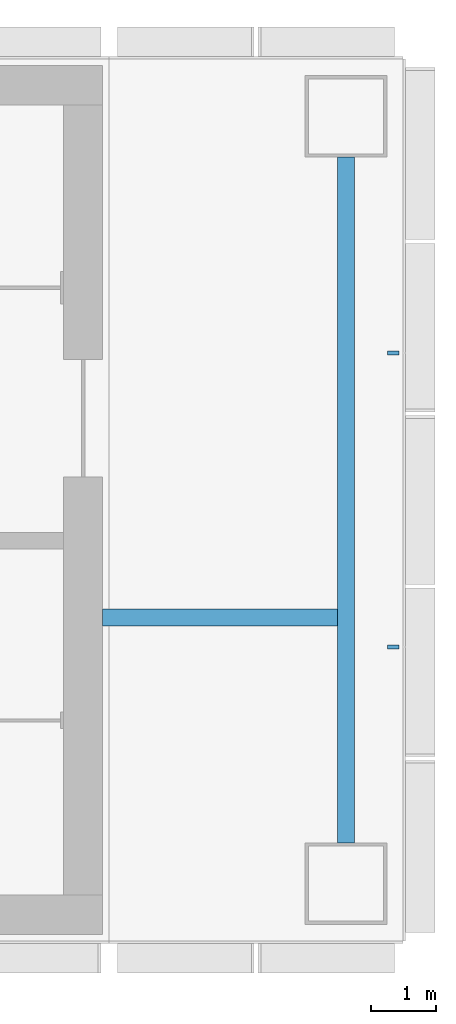
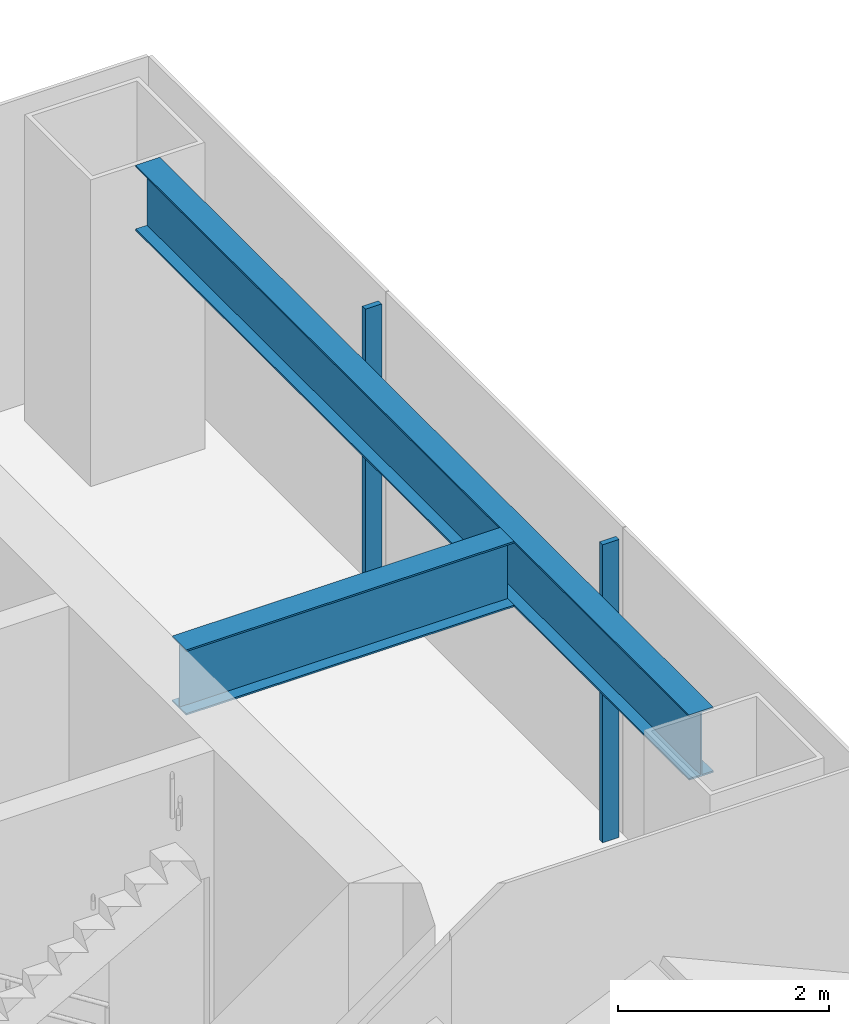
# One storey, part 6 of 19: 2 beams, 2 members, 1 element without a shape of its own.
"""IFC4 building model written with IfcOpenShell, lengths in metres."""

from ifc_helpers import new_model, si_unit, direction, frame, origin, origin_2d, place, context, subcontext, project, spatial, rectangle, i_section, extrude, material, layer, layer_set, material_profile, profile_set, type_object, element, aggregate, save


model = new_model("IFC4")

# Units and contexts
model_context = context("Model", 3, precision=1e-05, world=origin(), true_north=direction((0.0, 1.0)))
body_context = subcontext(model_context, "Body", "Model", "MODEL_VIEW")
ifc_project = project(units=[si_unit("LENGTHUNIT", "METRE"), si_unit("AREAUNIT", "SQUARE_METRE"), si_unit("VOLUMEUNIT", "CUBIC_METRE"), si_unit("PLANEANGLEUNIT", "RADIAN"), si_unit("MASSUNIT", "GRAM", prefix="KILO")], contexts=[model_context])

# Site, building, storey
site_placement = place(None, origin())
site = spatial("IfcSite", under=ifc_project, at=site_placement, CompositionType="ELEMENT")
building_placement = place(site_placement, origin())
building = spatial("IfcBuilding", under=site, at=building_placement, Name="Shamsa Quay Exchange Towers", CompositionType="ELEMENT")
storey_placement = place(building_placement, frame((0.0, 0.0, 85.800048828125)))
storey = spatial("IfcBuildingStorey", under=building, at=storey_placement, Name="L19", CompositionType="ELEMENT", Elevation=85.800048828125)

# Curtain wall, members
ifc_material_1 = material(Name="Aluminium EN AW-6063 T6, black anodised", Category="aluminium")
ifc_layer = layer(ifc_material_1, 0.280029296875)
ifc_layer_set = layer_set([ifc_layer], Name="CW-1 UNITISED VISION GLASS")
curtain_wall_type = type_object("IfcCurtainWallType", Name="CW-1 UNITISED VISION GLASS", PredefinedType="NOTDEFINED", material=ifc_layer_set)
curtain_wall_placement = place(storey_placement, origin())
curtain_wall = element("IfcCurtainWall", 1, at=curtain_wall_placement, inside=storey, type_object=curtain_wall_type, Name="CW1 T2-END-V- L19", PredefinedType="NOTDEFINED")
ifc_material_profile_1 = material_profile(ifc_material_1, rectangle(XDim=0.179931640625, YDim=0.06005859375, at=origin_2d()), Name="MU60x180")
ifc_profile_set_1 = profile_set([ifc_material_profile_1], Name="Aluminium EN AW-6063 T6, black anodised")
member_type = type_object("IfcMemberType", Name="CW1 MULLION 60x180", PredefinedType="MULLION", material=ifc_profile_set_1)
member_1_placement = place(storey_placement, frame((58.35009765625, -2.25, 0.0), z_axis=(0.0, 0.0, 1.0), x_axis=(-1.0, 0.0, 0.0)))
member_1 = element("IfcMember", 2, at=member_1_placement, type_object=member_type, Name="CW1 mullion", PredefinedType="MULLION", context=body_context, shape_type="SweptSolid", body=[
    extrude(rectangle(XDim=0.179931640625, YDim=0.06005859375, at=origin_2d()), origin(), (0.0, 0.0, 1.0), 3.449951171875),
])
member_2_placement = place(storey_placement, frame((58.35009765625, 2.25, 0.0), z_axis=(0.0, 0.0, 1.0), x_axis=(-1.0, 0.0, 0.0)))
member_2 = element("IfcMember", 3, at=member_2_placement, type_object=member_type, Name="CW1 mullion", PredefinedType="MULLION", context=body_context, shape_type="SweptSolid", body=[
    extrude(rectangle(XDim=0.179931640625, YDim=0.06005859375, at=origin_2d()), origin(), (0.0, 0.0, 1.0), 3.449951171875),
])
aggregate(curtain_wall, [member_1, member_2])

# Beams
ifc_material_2 = material(Name="Steel S355", Category="steel")
ifc_material_profile_2 = material_profile(ifc_material_2, i_section(OverallWidth=0.26611328125, OverallDepth=0.7578125, WebThickness=0.013916015625, FlangeThickness=0.019287109375, at=origin_2d()), Name="W30x108")
ifc_profile_set_2 = profile_set([ifc_material_profile_2], Name="Steel S355")
beam_type = type_object("IfcBeamType", Name="End-zone beam W30x108", PredefinedType="BEAM", material=ifc_profile_set_2)
beam_1_placement = place(storey_placement, frame((57.625, -5.25, 3.171142578125), z_axis=(0.0, 1.0, 0.0), x_axis=(-1.0, 0.0, 0.0)))
element("IfcBeam", 4, at=beam_1_placement, inside=storey, type_object=beam_type, Name="End beam T2 V- end zone L19", PredefinedType="BEAM", context=body_context, shape_type="SweptSolid", body=[
    extrude(i_section(OverallWidth=0.26611328125, OverallDepth=0.7578125, WebThickness=0.013916015625, FlangeThickness=0.019287109375, at=origin_2d()), origin(), (0.0, 0.0, 1.0), 10.5),
])
beam_2_placement = place(storey_placement, frame((53.89990234375, -1.800048828125, 3.171142578125), z_axis=(1.0, 0.0, 0.0), x_axis=(0.0, 1.0, 0.0)))
element("IfcBeam", 5, at=beam_2_placement, inside=storey, type_object=beam_type, Name="Spine beam T2 V- end zone L19", PredefinedType="BEAM", context=body_context, shape_type="SweptSolid", body=[
    extrude(i_section(OverallWidth=0.26611328125, OverallDepth=0.7578125, WebThickness=0.013916015625, FlangeThickness=0.019287109375, at=origin_2d()), origin(), (0.0, 0.0, 1.0), 3.592041015625),
])

save(model, "model.ifc")
